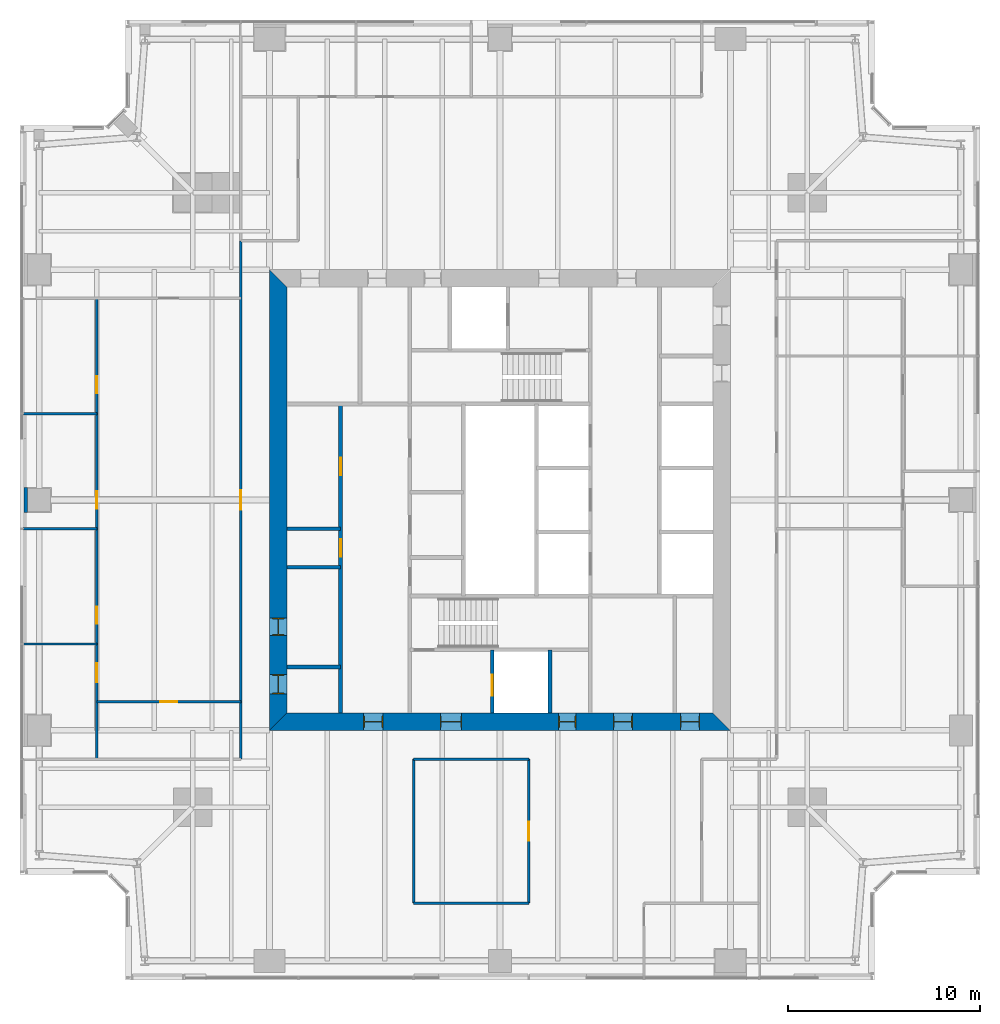
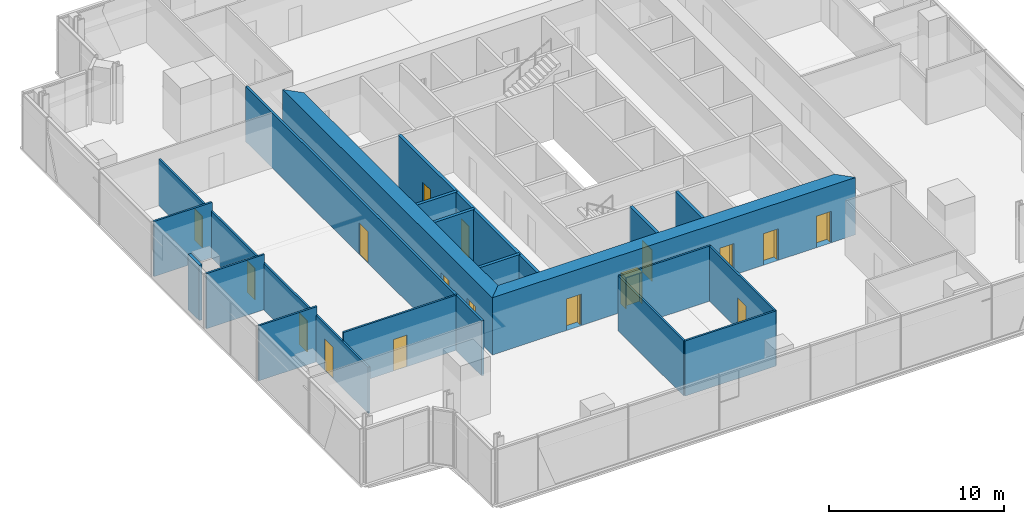
# One storey, part 9 of 16: 19 walls, 17 doors, 17 openings.
"""IFC4 building model written with IfcOpenShell, lengths in metres."""

from ifc_helpers import new_model, si_unit, direction, frame, frame_2d, origin, place, context, subcontext, project, spatial, polyline, rectangle, outline, extrude, material, layer, layer_set, type_object, element, fill, save


model = new_model("IFC4")

# Units and contexts
model_context = context("Model", 3, precision=1e-05, world=origin(), true_north=direction((0.0, 1.0)))
body_context = subcontext(model_context, "Body", "Model", "MODEL_VIEW")
ifc_project = project(units=[si_unit("LENGTHUNIT", "METRE"), si_unit("AREAUNIT", "SQUARE_METRE"), si_unit("VOLUMEUNIT", "CUBIC_METRE"), si_unit("PLANEANGLEUNIT", "RADIAN"), si_unit("MASSUNIT", "GRAM", prefix="KILO")], contexts=[model_context])

# Site, building, storey
site_placement = place(None, origin())
site = spatial("IfcSite", under=ifc_project, at=site_placement, CompositionType="ELEMENT")
building_placement = place(site_placement, origin())
building = spatial("IfcBuilding", under=site, at=building_placement, Name="Fenwick Lantern Interchange", CompositionType="ELEMENT")
storey_placement = place(building_placement, frame((0.0, 0.0, 181.800048828125)))
storey = spatial("IfcBuildingStorey", under=building, at=storey_placement, Name="L42", CompositionType="ELEMENT", Elevation=181.800048828125)

# Wall
ifc_material_1 = material(Name="Fire-rated gypsum board encasement on steel studs, 2 hour", Category="steel")
ifc_layer_1 = layer(ifc_material_1, 1.300048828125)
ifc_layer_set_1 = layer_set([ifc_layer_1], Name="COLUMN PIER 1300")
wall_type_1 = type_object("IfcWallType", Name="COLUMN PIER 1300", PredefinedType="PARTITIONING", material=ifc_layer_set_1)
wall_1_placement = place(storey_placement, frame((0.199951171875, 25.0, 0.0), z_axis=(0.0, 0.0, 1.0), x_axis=(1.0, 0.0, 0.0)))
element("IfcWall", 1, at=wall_1_placement, inside=storey, type_object=wall_type_1, Name="L42/W/PIER/CW3", PredefinedType="PARTITIONING", context=body_context, shape_type="SweptSolid", body=[
    extrude(rectangle(XDim=0.199951171875, YDim=1.300048828125, at=frame_2d((0.10009765625, 0.0))), origin(), (0.0, 0.0, 1.0), 3.849853515625),
])

# Wall, openings, doors
ifc_material_2 = material(Name="Concrete masonry ASTM C90 Grade N", Category="masonry")
ifc_layer_2 = layer(ifc_material_2, 0.199951171875)
ifc_layer_set_2 = layer_set([ifc_layer_2], Name="Concrete masonry ASTM C90 Grade N")
wall_type_2 = type_object("IfcWallType", Name="CORE PARTITION 200", PredefinedType="PARTITIONING", material=ifc_layer_set_2)
wall_2_placement = place(storey_placement, frame((16.699951171875, 13.89990234375, 0.0), z_axis=(0.0, 0.0, 1.0), x_axis=(0.0, 1.0, 0.0)))
wall_2 = element("IfcWall", 2, at=wall_2_placement, inside=storey, type_object=wall_type_2, Name="L42/W/CORES/a", PredefinedType="PARTITIONING", context=body_context, shape_type="SweptSolid", body=[
    extrude(rectangle(XDim=16.10009765625, YDim=0.199951171875, at=frame_2d((8.050048828125, 0.0))), origin(), (0.0, 0.0, 1.0), 3.800048828125),
])
opening_1_placement = place(wall_2_placement, frame((8.14990234375, 0.0, 0.0)))
opening_1 = element("IfcOpeningElement", 3, at=opening_1_placement, cuts=wall_2, Name="Opening L42-D009", PredefinedType="OPENING", context=body_context, shape_type="SweptSolid", body=[
    extrude(rectangle(XDim=0.89990234375, YDim=2.199951171875, at=frame_2d((0.449951171875, 1.10009765625))), frame((0.0, 0.10986328125, 0.0), z_axis=(0.0, -1.0, 0.0), x_axis=(1.0, 0.0, 0.0)), (0.0, 0.0, 1.0), 0.219970703125),
])
opening_2_placement = place(wall_2_placement, frame((12.39990234375, 0.0, 0.0)))
opening_2 = element("IfcOpeningElement", 4, at=opening_2_placement, cuts=wall_2, Name="Opening L42-D010", PredefinedType="OPENING", context=body_context, shape_type="SweptSolid", body=[
    extrude(rectangle(XDim=0.89990234375, YDim=2.199951171875, at=frame_2d((0.449951171875, 1.10009765625))), frame((0.0, 0.10986328125, 0.0), z_axis=(0.0, -1.0, 0.0), x_axis=(1.0, 0.0, 0.0)), (0.0, 0.0, 1.0), 0.219970703125),
])
ifc_material_3 = material(Name="Steel door and frame", Category="steel")
door_type_1 = type_object("IfcDoorType", Name="SERVICE DOOR 900 X 2200", OperationType="SINGLE_SWING_LEFT", PredefinedType="DOOR", material=ifc_material_3)
door_1_placement = place(opening_1_placement, origin())
door_1 = element("IfcDoor", 5, at=door_1_placement, inside=storey, type_object=door_type_1, Name="Service door", OperationType="SINGLE_SWING_LEFT", OverallHeight=2.199951171875, OverallWidth=0.89990234375, PredefinedType="DOOR", context=body_context, shape_type="SweptSolid", body=[
    extrude(rectangle(XDim=0.89990234375, YDim=2.199951171875, at=frame_2d((0.449951171875, 1.10009765625))), frame((0.0, 0.02490234375, 0.0), z_axis=(0.0, -1.0, 0.0), x_axis=(1.0, 0.0, 0.0)), (0.0, 0.0, 1.0), 0.050048828125),
])
fill(opening_1, door_1)
door_2_placement = place(opening_2_placement, origin())
door_2 = element("IfcDoor", 6, at=door_2_placement, inside=storey, type_object=door_type_1, Name="Service door", OperationType="SINGLE_SWING_LEFT", OverallHeight=2.199951171875, OverallWidth=0.89990234375, PredefinedType="DOOR", context=body_context, shape_type="SweptSolid", body=[
    extrude(rectangle(XDim=0.89990234375, YDim=2.199951171875, at=frame_2d((0.449951171875, 1.10009765625))), frame((0.0, 0.02490234375, 0.0), z_axis=(0.0, -1.0, 0.0), x_axis=(1.0, 0.0, 0.0)), (0.0, 0.0, 1.0), 0.050048828125),
])
fill(opening_2, door_2)

# Wall, opening, door
wall_3_placement = place(storey_placement, frame((24.60009765625, 13.89990234375, 0.0), z_axis=(0.0, 0.0, 1.0), x_axis=(0.0, 1.0, 0.0)))
wall_3 = element("IfcWall", 7, at=wall_3_placement, inside=storey, type_object=wall_type_2, Name="L42/W/CORES/h1", PredefinedType="PARTITIONING", context=body_context, shape_type="SweptSolid", body=[
    extrude(rectangle(XDim=3.300048828125, YDim=0.199951171875, at=frame_2d((1.64990234375, 0.0))), origin(), (0.0, 0.0, 1.0), 3.800048828125),
])
opening_3_placement = place(wall_3_placement, frame((0.89990234375, 0.0, 0.0)))
opening_3 = element("IfcOpeningElement", 8, at=opening_3_placement, cuts=wall_3, Name="Opening LD-FL1", PredefinedType="OPENING", context=body_context, shape_type="SweptSolid", body=[
    extrude(rectangle(XDim=1.10009765625, YDim=2.199951171875, at=frame_2d((0.550048828125, 1.10009765625))), frame((0.0, 0.10986328125, 0.0), z_axis=(0.0, -1.0, 0.0), x_axis=(1.0, 0.0, 0.0)), (0.0, 0.0, 1.0), 0.219970703125),
])
door_type_2 = type_object("IfcDoorType", Name="LIFT LANDING DOOR 1100 X 2200", OperationType="DOUBLE_DOOR_SLIDING", PredefinedType="DOOR", material=ifc_material_3)
door_3_placement = place(opening_3_placement, origin())
door_3 = element("IfcDoor", 9, at=door_3_placement, inside=storey, type_object=door_type_2, Name="Lift landing door FL1", OperationType="DOUBLE_DOOR_SLIDING", OverallHeight=2.199951171875, OverallWidth=1.10009765625, PredefinedType="DOOR", context=body_context, shape_type="SweptSolid", body=[
    extrude(rectangle(XDim=1.10009765625, YDim=2.199951171875, at=frame_2d((0.550048828125, 1.10009765625))), frame((0.0, 0.02490234375, 0.0), z_axis=(0.0, -1.0, 0.0), x_axis=(1.0, 0.0, 0.0)), (0.0, 0.0, 1.0), 0.050048828125),
])
fill(opening_3, door_3)

# Walls
wall_4_placement = place(storey_placement, frame((27.60009765625, 13.89990234375, 0.0), z_axis=(0.0, 0.0, 1.0), x_axis=(0.0, 1.0, 0.0)))
element("IfcWall", 10, at=wall_4_placement, inside=storey, type_object=wall_type_2, Name="L42/W/CORES/h2", PredefinedType="PARTITIONING", context=body_context, shape_type="SweptSolid", body=[
    extrude(rectangle(XDim=3.300048828125, YDim=0.199951171875, at=frame_2d((1.64990234375, 0.0))), origin(), (0.0, 0.0, 1.0), 3.800048828125),
])
for number, where, z_axis, x_axis, name in (
    (11, (13.89990234375, 16.300048828125, 0.0), (0.0, 0.0, 1.0), (1.0, 0.0, 0.0), "L42/W/CORES/p1"),
    (12, (13.89990234375, 21.5, 0.0), (0.0, 0.0, 1.0), (1.0, 0.0, 0.0), "L42/W/CORES/p2"),
    (13, (13.89990234375, 23.5, 0.0), (0.0, 0.0, 1.0), (1.0, 0.0, 0.0), "L42/W/CORES/p3"),
):
    element("IfcWall", number, at=place(storey_placement, frame(where, z_axis=z_axis, x_axis=x_axis)), inside=storey, type_object=wall_type_2, Name=name, PredefinedType="PARTITIONING", context=body_context, shape_type="SweptSolid", body=[
        extrude(rectangle(XDim=2.800048828125, YDim=0.199951171875, at=frame_2d((1.39990234375, 0.0))), origin(), (0.0, 0.0, 1.0), 3.800048828125),
    ])

# Wall, openings, doors
ifc_material_4 = material(Name="Concrete f'c 70 MPa", Category="concrete")
ifc_layer_3 = layer(ifc_material_4, 0.89990234375)
ifc_layer_set_3 = layer_set([ifc_layer_3], Name="CORE WALL 900")
wall_type_3 = type_object("IfcWallType", Name="CORE WALL 900", PredefinedType="SHEAR", material=ifc_layer_set_3)
wall_5_placement = place(storey_placement, frame((13.0, 13.449951171875, 0.0), z_axis=(0.0, 0.0, 1.0), x_axis=(1.0, 0.0, 0.0)))
wall_5 = element("IfcWall", 14, at=wall_5_placement, inside=storey, type_object=wall_type_3, Name="L42/CORE/S", PredefinedType="SHEAR", context=body_context, shape_type="SweptSolid", body=[
    extrude(outline(polyline([(0.0, -0.449951171875), (24.0, -0.449951171875), (23.10009765625, 0.449951171875), (0.89990234375, 0.449951171875), (0.0, -0.449951171875)])), origin(), (0.0, 0.0, 1.0), 4.0),
])
opening_4_placement = place(wall_5_placement, frame((4.89990234375, 0.0, 0.0)))
opening_4 = element("IfcOpeningElement", 15, at=opening_4_placement, cuts=wall_5, Name="Opening L42-D001", PredefinedType="OPENING", context=body_context, shape_type="SweptSolid", body=[
    extrude(rectangle(XDim=1.0, YDim=2.199951171875, at=frame_2d((0.5, 1.10009765625))), frame((0.0, 0.4599609375, 0.0), z_axis=(0.0, -1.0, 0.0), x_axis=(1.0, 0.0, 0.0)), (0.0, 0.0, 1.0), 0.919921875),
])
opening_5_placement = place(wall_5_placement, frame((8.89990234375, 0.0, 0.0)))
opening_5 = element("IfcOpeningElement", 16, at=opening_5_placement, cuts=wall_5, Name="Opening L42-D002", PredefinedType="OPENING", context=body_context, shape_type="SweptSolid", body=[
    extrude(rectangle(XDim=1.10009765625, YDim=2.199951171875, at=frame_2d((0.550048828125, 1.10009765625))), frame((0.0, 0.4599609375, 0.0), z_axis=(0.0, -1.0, 0.0), x_axis=(1.0, 0.0, 0.0)), (0.0, 0.0, 1.0), 0.919921875),
])
opening_6_placement = place(wall_5_placement, frame((15.050048828125, 0.0, 0.0)))
opening_6 = element("IfcOpeningElement", 17, at=opening_6_placement, cuts=wall_5, Name="Opening L42-D004", PredefinedType="OPENING", context=body_context, shape_type="SweptSolid", body=[
    extrude(rectangle(XDim=0.89990234375, YDim=2.199951171875, at=frame_2d((0.449951171875, 1.10009765625))), frame((0.0, 0.4599609375, 0.0), z_axis=(0.0, -1.0, 0.0), x_axis=(1.0, 0.0, 0.0)), (0.0, 0.0, 1.0), 0.919921875),
])
opening_7_placement = place(wall_5_placement, frame((17.89990234375, 0.0, 0.0)))
opening_7 = element("IfcOpeningElement", 18, at=opening_7_placement, cuts=wall_5, Name="Opening L42-D005", PredefinedType="OPENING", context=body_context, shape_type="SweptSolid", body=[
    extrude(rectangle(XDim=1.0, YDim=2.199951171875, at=frame_2d((0.5, 1.10009765625))), frame((0.0, 0.4599609375, 0.0), z_axis=(0.0, -1.0, 0.0), x_axis=(1.0, 0.0, 0.0)), (0.0, 0.0, 1.0), 0.919921875),
])
opening_8_placement = place(wall_5_placement, frame((21.39990234375, 0.0, 0.0)))
opening_8 = element("IfcOpeningElement", 19, at=opening_8_placement, cuts=wall_5, Name="Opening L42-D006", PredefinedType="OPENING", context=body_context, shape_type="SweptSolid", body=[
    extrude(rectangle(XDim=1.0, YDim=2.199951171875, at=frame_2d((0.5, 1.10009765625))), frame((0.0, 0.4599609375, 0.0), z_axis=(0.0, -1.0, 0.0), x_axis=(1.0, 0.0, 0.0)), (0.0, 0.0, 1.0), 0.919921875),
])
door_type_3 = type_object("IfcDoorType", Name="CORE LOBBY DOOR 1000 X 2200", OperationType="SINGLE_SWING_LEFT", PredefinedType="DOOR", material=ifc_material_3)
door_4_placement = place(opening_4_placement, origin())
door_4 = element("IfcDoor", 20, at=door_4_placement, inside=storey, type_object=door_type_3, Name="Core lobby door", OperationType="SINGLE_SWING_LEFT", OverallHeight=2.199951171875, OverallWidth=1.0, PredefinedType="DOOR", context=body_context, shape_type="SweptSolid", body=[
    extrude(rectangle(XDim=1.0, YDim=2.199951171875, at=frame_2d((0.5, 1.10009765625))), frame((0.0, 0.02490234375, 0.0), z_axis=(0.0, -1.0, 0.0), x_axis=(1.0, 0.0, 0.0)), (0.0, 0.0, 1.0), 0.050048828125),
    extrude(outline(polyline([(0.0, 0.0), (0.0400390625, 0.0), (0.0400390625, 2.159912109375), (0.9599609375, 2.159912109375), (0.9599609375, 0.0), (1.0, 0.0), (1.0, 2.199951171875), (0.0, 2.199951171875), (0.0, 0.0)])), frame((0.0, 0.300048828125, 0.0), z_axis=(0.0, -1.0, 0.0), x_axis=(1.0, 0.0, 0.0)), (0.0, 0.0, 1.0), 0.60009765625),
])
fill(opening_4, door_4)
door_type_4 = type_object("IfcDoorType", Name="FIRE LOBBY DOOR 1100 X 2200", OperationType="SINGLE_SWING_LEFT", PredefinedType="DOOR", material=ifc_material_3)
door_5_placement = place(opening_5_placement, origin())
door_5 = element("IfcDoor", 21, at=door_5_placement, inside=storey, type_object=door_type_4, Name="Fire lobby door", OperationType="SINGLE_SWING_LEFT", OverallHeight=2.199951171875, OverallWidth=1.10009765625, PredefinedType="DOOR", context=body_context, shape_type="SweptSolid", body=[
    extrude(rectangle(XDim=1.10009765625, YDim=2.199951171875, at=frame_2d((0.550048828125, 1.10009765625))), frame((0.0, 0.02490234375, 0.0), z_axis=(0.0, -1.0, 0.0), x_axis=(1.0, 0.0, 0.0)), (0.0, 0.0, 1.0), 0.050048828125),
    extrude(outline(polyline([(0.0, 0.0), (0.0400390625, 0.0), (0.0400390625, 2.159912109375), (1.06005859375, 2.159912109375), (1.06005859375, 0.0), (1.10009765625, 0.0), (1.10009765625, 2.199951171875), (0.0, 2.199951171875), (0.0, 0.0)])), frame((0.0, 0.300048828125, 0.0), z_axis=(0.0, -1.0, 0.0), x_axis=(1.0, 0.0, 0.0)), (0.0, 0.0, 1.0), 0.60009765625),
])
fill(opening_5, door_5)
door_6_placement = place(opening_6_placement, origin())
door_6 = element("IfcDoor", 22, at=door_6_placement, inside=storey, type_object=door_type_1, Name="Service door", OperationType="SINGLE_SWING_LEFT", OverallHeight=2.199951171875, OverallWidth=0.89990234375, PredefinedType="DOOR", context=body_context, shape_type="SweptSolid", body=[
    extrude(rectangle(XDim=0.89990234375, YDim=2.199951171875, at=frame_2d((0.449951171875, 1.10009765625))), frame((0.0, 0.02490234375, 0.0), z_axis=(0.0, -1.0, 0.0), x_axis=(1.0, 0.0, 0.0)), (0.0, 0.0, 1.0), 0.050048828125),
    extrude(outline(polyline([(0.0, 0.0), (0.0400390625, 0.0), (0.0400390625, 2.159912109375), (0.85986328125, 2.159912109375), (0.85986328125, 0.0), (0.89990234375, 0.0), (0.89990234375, 2.199951171875), (0.0, 2.199951171875), (0.0, 0.0)])), frame((0.0, 0.300048828125, 0.0), z_axis=(0.0, -1.0, 0.0), x_axis=(1.0, 0.0, 0.0)), (0.0, 0.0, 1.0), 0.60009765625),
])
fill(opening_6, door_6)
ifc_material_5 = material(Name="Hardwood door and steel frame", Category="steel")
door_type_5 = type_object("IfcDoorType", Name="WC DOOR 1000 X 2200", OperationType="SINGLE_SWING_LEFT", PredefinedType="DOOR", material=ifc_material_5)
door_7_placement = place(opening_7_placement, origin())
door_7 = element("IfcDoor", 23, at=door_7_placement, inside=storey, type_object=door_type_5, Name="Wc door", OperationType="SINGLE_SWING_LEFT", OverallHeight=2.199951171875, OverallWidth=1.0, PredefinedType="DOOR", context=body_context, shape_type="SweptSolid", body=[
    extrude(rectangle(XDim=1.0, YDim=2.199951171875, at=frame_2d((0.5, 1.10009765625))), frame((0.0, 0.02490234375, 0.0), z_axis=(0.0, -1.0, 0.0), x_axis=(1.0, 0.0, 0.0)), (0.0, 0.0, 1.0), 0.050048828125),
    extrude(outline(polyline([(0.0, 0.0), (0.0400390625, 0.0), (0.0400390625, 2.159912109375), (0.9599609375, 2.159912109375), (0.9599609375, 0.0), (1.0, 0.0), (1.0, 2.199951171875), (0.0, 2.199951171875), (0.0, 0.0)])), frame((0.0, 0.300048828125, 0.0), z_axis=(0.0, -1.0, 0.0), x_axis=(1.0, 0.0, 0.0)), (0.0, 0.0, 1.0), 0.60009765625),
])
fill(opening_7, door_7)
door_8_placement = place(opening_8_placement, origin())
door_8 = element("IfcDoor", 24, at=door_8_placement, inside=storey, type_object=door_type_5, Name="Wc door", OperationType="SINGLE_SWING_LEFT", OverallHeight=2.199951171875, OverallWidth=1.0, PredefinedType="DOOR", context=body_context, shape_type="SweptSolid", body=[
    extrude(rectangle(XDim=1.0, YDim=2.199951171875, at=frame_2d((0.5, 1.10009765625))), frame((0.0, 0.02490234375, 0.0), z_axis=(0.0, -1.0, 0.0), x_axis=(1.0, 0.0, 0.0)), (0.0, 0.0, 1.0), 0.050048828125),
    extrude(outline(polyline([(0.0, 0.0), (0.0400390625, 0.0), (0.0400390625, 2.159912109375), (0.9599609375, 2.159912109375), (0.9599609375, 0.0), (1.0, 0.0), (1.0, 2.199951171875), (0.0, 2.199951171875), (0.0, 0.0)])), frame((0.0, 0.300048828125, 0.0), z_axis=(0.0, -1.0, 0.0), x_axis=(1.0, 0.0, 0.0)), (0.0, 0.0, 1.0), 0.60009765625),
])
fill(opening_8, door_8)

wall_6_placement = place(storey_placement, frame((13.449951171875, 36.10009765625, 0.0), z_axis=(0.0, 0.0, 1.0), x_axis=(0.0, -1.0, 0.0)))
wall_6 = element("IfcWall", 25, at=wall_6_placement, inside=storey, type_object=wall_type_3, Name="L42/CORE/W", PredefinedType="SHEAR", context=body_context, shape_type="SweptSolid", body=[
    extrude(outline(polyline([(-0.89990234375, -0.449951171875), (23.10009765625, -0.449951171875), (22.199951171875, 0.449951171875), (0.0, 0.449951171875), (-0.89990234375, -0.449951171875)])), origin(), (0.0, 0.0, 1.0), 4.0),
])
opening_9_placement = place(wall_6_placement, frame((20.199951171875, 0.0, 0.0)))
opening_9 = element("IfcOpeningElement", 26, at=opening_9_placement, cuts=wall_6, Name="Opening L42-D007", PredefinedType="OPENING", context=body_context, shape_type="SweptSolid", body=[
    extrude(rectangle(XDim=1.0, YDim=2.199951171875, at=frame_2d((0.5, 1.10009765625))), frame((0.0, 0.4599609375, 0.0), z_axis=(0.0, -1.0, 0.0), x_axis=(1.0, 0.0, 0.0)), (0.0, 0.0, 1.0), 0.919921875),
])
opening_10_placement = place(wall_6_placement, frame((17.25, 0.0, 0.0)))
opening_10 = element("IfcOpeningElement", 27, at=opening_10_placement, cuts=wall_6, Name="Opening L42-D008", PredefinedType="OPENING", context=body_context, shape_type="SweptSolid", body=[
    extrude(rectangle(XDim=0.89990234375, YDim=2.199951171875, at=frame_2d((0.449951171875, 1.10009765625))), frame((0.0, 0.4599609375, 0.0), z_axis=(0.0, -1.0, 0.0), x_axis=(1.0, 0.0, 0.0)), (0.0, 0.0, 1.0), 0.919921875),
])
door_9_placement = place(opening_10_placement, origin())
door_9 = element("IfcDoor", 28, at=door_9_placement, inside=storey, type_object=door_type_1, Name="Service door", OperationType="SINGLE_SWING_RIGHT", OverallHeight=2.199951171875, OverallWidth=0.89990234375, PredefinedType="DOOR", context=body_context, shape_type="SweptSolid", body=[
    extrude(rectangle(XDim=0.89990234375, YDim=2.199951171875, at=frame_2d((0.449951171875, 1.10009765625))), frame((0.0, 0.02490234375, 0.0), z_axis=(0.0, -1.0, 0.0), x_axis=(1.0, 0.0, 0.0)), (0.0, 0.0, 1.0), 0.050048828125),
    extrude(outline(polyline([(0.0, 0.0), (0.0400390625, 0.0), (0.0400390625, 2.159912109375), (0.85986328125, 2.159912109375), (0.85986328125, 0.0), (0.89990234375, 0.0), (0.89990234375, 2.199951171875), (0.0, 2.199951171875), (0.0, 0.0)])), frame((0.0, 0.300048828125, 0.0), z_axis=(0.0, -1.0, 0.0), x_axis=(1.0, 0.0, 0.0)), (0.0, 0.0, 1.0), 0.60009765625),
])
fill(opening_10, door_9)
door_10_placement = place(opening_9_placement, origin())
door_10 = element("IfcDoor", 29, at=door_10_placement, inside=storey, type_object=door_type_5, Name="Wc door", OperationType="SINGLE_SWING_LEFT", OverallHeight=2.199951171875, OverallWidth=1.0, PredefinedType="DOOR", context=body_context, shape_type="SweptSolid", body=[
    extrude(rectangle(XDim=1.0, YDim=2.199951171875, at=frame_2d((0.5, 1.10009765625))), frame((0.0, 0.02490234375, 0.0), z_axis=(0.0, -1.0, 0.0), x_axis=(1.0, 0.0, 0.0)), (0.0, 0.0, 1.0), 0.050048828125),
    extrude(outline(polyline([(0.0, 0.0), (0.0400390625, 0.0), (0.0400390625, 2.159912109375), (0.9599609375, 2.159912109375), (0.9599609375, 0.0), (1.0, 0.0), (1.0, 2.199951171875), (0.0, 2.199951171875), (0.0, 0.0)])), frame((0.0, 0.300048828125, 0.0), z_axis=(0.0, -1.0, 0.0), x_axis=(1.0, 0.0, 0.0)), (0.0, 0.0, 1.0), 0.60009765625),
])
fill(opening_9, door_10)

# Wall, opening, door
ifc_material_6 = material(Name="Gypsum board on steel studs, 1 hour", Category="steel")
ifc_layer_4 = layer(ifc_material_6, 0.14990234375)
ifc_layer_set_4 = layer_set([ifc_layer_4], Name="CORRIDOR WALL 150")
wall_type_4 = type_object("IfcWallType", Name="CORRIDOR WALL 150", PredefinedType="PARTITIONING", material=ifc_layer_set_4)
wall_7_placement = place(storey_placement, frame((11.5, 38.5, 0.0), z_axis=(0.0, 0.0, 1.0), x_axis=(0.0, -1.0, 0.0)))
wall_7 = element("IfcWall", 30, at=wall_7_placement, inside=storey, type_object=wall_type_4, Name="L42/W/OFF/W/CW", PredefinedType="PARTITIONING", context=body_context, shape_type="SweptSolid", body=[
    extrude(rectangle(XDim=27.0, YDim=0.14990234375, at=frame_2d((13.5, 0.0))), origin(), (0.0, 0.0, 1.0), 3.849853515625),
])
opening_11_placement = place(wall_7_placement, frame((13.0, 0.0, 0.0)))
opening_11 = element("IfcOpeningElement", 31, at=opening_11_placement, cuts=wall_7, Name="Opening L42-D036", PredefinedType="OPENING", context=body_context, shape_type="SweptSolid", body=[
    extrude(rectangle(XDim=1.0, YDim=2.199951171875, at=frame_2d((0.5, 1.10009765625))), frame((0.0, 0.0849609375, 0.0), z_axis=(0.0, -1.0, 0.0), x_axis=(1.0, 0.0, 0.0)), (0.0, 0.0, 1.0), 0.169921875),
])
door_type_6 = type_object("IfcDoorType", Name="SUITE ENTRANCE DOOR 1000 X 2200", OperationType="SINGLE_SWING_LEFT", PredefinedType="DOOR", material=ifc_material_3)
door_11_placement = place(opening_11_placement, frame((1.0, 0.0, 0.0), z_axis=(0.0, 0.0, 1.0), x_axis=(-1.0, 0.0, 0.0)))
door_11 = element("IfcDoor", 32, at=door_11_placement, inside=storey, type_object=door_type_6, Name="Suite entrance door", OperationType="SINGLE_SWING_RIGHT", OverallHeight=2.199951171875, OverallWidth=1.0, PredefinedType="DOOR", context=body_context, shape_type="SweptSolid", body=[
    extrude(rectangle(XDim=1.0, YDim=2.199951171875, at=frame_2d((0.5, 1.10009765625))), frame((0.0, 0.02490234375, 0.0), z_axis=(0.0, -1.0, 0.0), x_axis=(1.0, 0.0, 0.0)), (0.0, 0.0, 1.0), 0.050048828125),
])
fill(opening_11, door_11)

# Wall
ifc_material_7 = material(Name="Gypsum board on steel studs, acoustic", Category="steel")
ifc_layer_5 = layer(ifc_material_7, 0.125)
ifc_layer_set_5 = layer_set([ifc_layer_5], Name="OFFICE PARTITION 125")
wall_type_5 = type_object("IfcWallType", Name="OFFICE PARTITION 125", PredefinedType="PARTITIONING", material=ifc_layer_set_5)
wall_8_placement = place(storey_placement, frame((20.5, 4.0, 0.0), z_axis=(0.0, 0.0, 1.0), x_axis=(0.0, 1.0, 0.0)))
element("IfcWall", 33, at=wall_8_placement, inside=storey, type_object=wall_type_5, Name="L42/W/OFF/S/X205-1", PredefinedType="PARTITIONING", context=body_context, shape_type="SweptSolid", body=[
    extrude(rectangle(XDim=7.5, YDim=0.125, at=frame_2d((3.75, 0.0))), origin(), (0.0, 0.0, 1.0), 3.849853515625),
])

# Wall, opening, door
wall_9_placement = place(storey_placement, frame((26.5, 4.0, 0.0), z_axis=(0.0, 0.0, 1.0), x_axis=(0.0, 1.0, 0.0)))
wall_9 = element("IfcWall", 34, at=wall_9_placement, inside=storey, type_object=wall_type_5, Name="L42/W/OFF/S/X265-1", PredefinedType="PARTITIONING", context=body_context, shape_type="SweptSolid", body=[
    extrude(rectangle(XDim=7.5, YDim=0.125, at=frame_2d((3.75, 0.0))), origin(), (0.0, 0.0, 1.0), 3.849853515625),
])
opening_12_placement = place(wall_9_placement, frame((3.25, 0.0, 0.0)))
opening_12 = element("IfcOpeningElement", 35, at=opening_12_placement, cuts=wall_9, Name="Opening L42-D022", PredefinedType="OPENING", context=body_context, shape_type="SweptSolid", body=[
    extrude(rectangle(XDim=1.0, YDim=2.199951171875, at=frame_2d((0.5, 1.10009765625))), frame((0.0, 0.072509765625, 0.0), z_axis=(0.0, -1.0, 0.0), x_axis=(1.0, 0.0, 0.0)), (0.0, 0.0, 1.0), 0.14501953125),
])
door_type_7 = type_object("IfcDoorType", Name="MEETING ROOM DOOR 1000 X 2200", OperationType="SINGLE_SWING_LEFT", PredefinedType="DOOR", material=ifc_material_5)
door_12_placement = place(opening_12_placement, origin())
door_12 = element("IfcDoor", 36, at=door_12_placement, inside=storey, type_object=door_type_7, Name="Meeting room door", OperationType="SINGLE_SWING_LEFT", OverallHeight=2.199951171875, OverallWidth=1.0, PredefinedType="DOOR", context=body_context, shape_type="SweptSolid", body=[
    extrude(rectangle(XDim=1.0, YDim=2.199951171875, at=frame_2d((0.5, 1.10009765625))), frame((0.0, 0.02490234375, 0.0), z_axis=(0.0, -1.0, 0.0), x_axis=(1.0, 0.0, 0.0)), (0.0, 0.0, 1.0), 0.050048828125),
])
fill(opening_12, door_12)

# Walls
for number, where, z_axis, x_axis, name in (
    (37, (20.5, 4.0, 0.0), (0.0, 0.0, 1.0), (1.0, 0.0, 0.0), "L42/W/OFF/S/Y40-1"),
    (38, (20.5, 11.5, 0.0), (0.0, 0.0, 1.0), (1.0, 0.0, 0.0), "L42/W/OFF/S/CWS1"),
):
    element("IfcWall", number, at=place(storey_placement, frame(where, z_axis=z_axis, x_axis=x_axis)), inside=storey, type_object=wall_type_5, Name=name, PredefinedType="PARTITIONING", context=body_context, shape_type="SweptSolid", body=[
        extrude(rectangle(XDim=6.0, YDim=0.125, at=frame_2d((3.0, 0.0))), origin(), (0.0, 0.0, 1.0), 3.849853515625),
    ])
for number, where, z_axis, x_axis, name in (
    (39, (0.14990234375, 29.5, 0.0), (0.0, 0.0, 1.0), (1.0, 0.0, 0.0), "L42/W/OFF/W/X205-1"),
    (40, (0.14990234375, 23.5, 0.0), (0.0, 0.0, 1.0), (1.0, 0.0, 0.0), "L42/W/OFF/W/X265-1"),
    (41, (0.14990234375, 17.5, 0.0), (0.0, 0.0, 1.0), (1.0, 0.0, 0.0), "L42/W/OFF/W/X325-1"),
):
    element("IfcWall", number, at=place(storey_placement, frame(where, z_axis=z_axis, x_axis=x_axis)), inside=storey, type_object=wall_type_5, Name=name, PredefinedType="PARTITIONING", context=body_context, shape_type="SweptSolid", body=[
        extrude(rectangle(XDim=3.85009765625, YDim=0.125, at=frame_2d((1.925048828125, 0.0))), origin(), (0.0, 0.0, 1.0), 3.849853515625),
    ])

# Wall, opening, door
wall_10_placement = place(storey_placement, frame((4.0, 14.5, 0.0), z_axis=(0.0, 0.0, 1.0), x_axis=(1.0, 0.0, 0.0)))
wall_10 = element("IfcWall", 42, at=wall_10_placement, inside=storey, type_object=wall_type_5, Name="L42/W/OFF/W/X355-1", PredefinedType="PARTITIONING", context=body_context, shape_type="SweptSolid", body=[
    extrude(rectangle(XDim=7.5, YDim=0.125, at=frame_2d((3.75, 0.0))), origin(), (0.0, 0.0, 1.0), 3.849853515625),
])
opening_13_placement = place(wall_10_placement, frame((3.300048828125, 0.0, 0.0)))
opening_13 = element("IfcOpeningElement", 43, at=opening_13_placement, cuts=wall_10, Name="Opening L42-D042", PredefinedType="OPENING", context=body_context, shape_type="SweptSolid", body=[
    extrude(rectangle(XDim=0.89990234375, YDim=2.199951171875, at=frame_2d((0.449951171875, 1.10009765625))), frame((0.0, 0.072509765625, 0.0), z_axis=(0.0, -1.0, 0.0), x_axis=(1.0, 0.0, 0.0)), (0.0, 0.0, 1.0), 0.14501953125),
])
door_type_8 = type_object("IfcDoorType", Name="OFFICE DOOR 900 X 2200", OperationType="SINGLE_SWING_LEFT", PredefinedType="DOOR", material=ifc_material_5)
door_13_placement = place(opening_13_placement, frame((0.89990234375, 0.0, 0.0), z_axis=(0.0, 0.0, 1.0), x_axis=(-1.0, 0.0, 0.0)))
door_13 = element("IfcDoor", 44, at=door_13_placement, inside=storey, type_object=door_type_8, Name="Office door", OperationType="SINGLE_SWING_RIGHT", OverallHeight=2.199951171875, OverallWidth=0.89990234375, PredefinedType="DOOR", context=body_context, shape_type="SweptSolid", body=[
    extrude(rectangle(XDim=0.89990234375, YDim=2.199951171875, at=frame_2d((0.449951171875, 1.10009765625))), frame((0.0, 0.02490234375, 0.0), z_axis=(0.0, -1.0, 0.0), x_axis=(1.0, 0.0, 0.0)), (0.0, 0.0, 1.0), 0.050048828125),
])
fill(opening_13, door_13)

# Wall, openings, doors
wall_11_placement = place(storey_placement, frame((4.0, 35.5, 0.0), z_axis=(0.0, 0.0, 1.0), x_axis=(0.0, -1.0, 0.0)))
wall_11 = element("IfcWall", 45, at=wall_11_placement, inside=storey, type_object=wall_type_5, Name="L42/W/OFF/W/Y40-1", PredefinedType="PARTITIONING", context=body_context, shape_type="SweptSolid", body=[
    extrude(rectangle(XDim=24.0, YDim=0.125, at=frame_2d((12.0, 0.0))), origin(), (0.0, 0.0, 1.0), 3.23779296875),
])
opening_14_placement = place(wall_11_placement, frame((4.050048828125, 0.0, 0.0)))
opening_14 = element("IfcOpeningElement", 46, at=opening_14_placement, cuts=wall_11, Name="Opening L42-D038", PredefinedType="OPENING", context=body_context, shape_type="SweptSolid", body=[
    extrude(rectangle(XDim=0.89990234375, YDim=2.199951171875, at=frame_2d((0.449951171875, 1.10009765625))), frame((0.0, 0.072509765625, 0.0), z_axis=(0.0, -1.0, 0.0), x_axis=(1.0, 0.0, 0.0)), (0.0, 0.0, 1.0), 0.14501953125),
])
opening_15_placement = place(wall_11_placement, frame((10.050048828125, 0.0, 0.0)))
opening_15 = element("IfcOpeningElement", 47, at=opening_15_placement, cuts=wall_11, Name="Opening L42-D039", PredefinedType="OPENING", context=body_context, shape_type="SweptSolid", body=[
    extrude(rectangle(XDim=0.89990234375, YDim=2.199951171875, at=frame_2d((0.449951171875, 1.10009765625))), frame((0.0, 0.072509765625, 0.0), z_axis=(0.0, -1.0, 0.0), x_axis=(1.0, 0.0, 0.0)), (0.0, 0.0, 1.0), 0.14501953125),
])
opening_16_placement = place(wall_11_placement, frame((16.050048828125, 0.0, 0.0)))
opening_16 = element("IfcOpeningElement", 48, at=opening_16_placement, cuts=wall_11, Name="Opening L42-D040", PredefinedType="OPENING", context=body_context, shape_type="SweptSolid", body=[
    extrude(rectangle(XDim=0.89990234375, YDim=2.199951171875, at=frame_2d((0.449951171875, 1.10009765625))), frame((0.0, 0.072509765625, 0.0), z_axis=(0.0, -1.0, 0.0), x_axis=(1.0, 0.0, 0.0)), (0.0, 0.0, 1.0), 0.14501953125),
])
opening_17_placement = place(wall_11_placement, frame((19.0, 0.0, 0.0)))
opening_17 = element("IfcOpeningElement", 49, at=opening_17_placement, cuts=wall_11, Name="Opening L42-D041", PredefinedType="OPENING", context=body_context, shape_type="SweptSolid", body=[
    extrude(rectangle(XDim=1.0, YDim=2.199951171875, at=frame_2d((0.5, 1.10009765625))), frame((0.0, 0.072509765625, 0.0), z_axis=(0.0, -1.0, 0.0), x_axis=(1.0, 0.0, 0.0)), (0.0, 0.0, 1.0), 0.14501953125),
])
door_14_placement = place(opening_17_placement, frame((1.0, 0.0, 0.0), z_axis=(0.0, 0.0, 1.0), x_axis=(-1.0, 0.0, 0.0)))
door_14 = element("IfcDoor", 50, at=door_14_placement, inside=storey, type_object=door_type_7, Name="Meeting room door", OperationType="SINGLE_SWING_RIGHT", OverallHeight=2.199951171875, OverallWidth=1.0, PredefinedType="DOOR", context=body_context, shape_type="SweptSolid", body=[
    extrude(rectangle(XDim=1.0, YDim=2.199951171875, at=frame_2d((0.5, 1.10009765625))), frame((0.0, 0.02490234375, 0.0), z_axis=(0.0, -1.0, 0.0), x_axis=(1.0, 0.0, 0.0)), (0.0, 0.0, 1.0), 0.050048828125),
])
fill(opening_17, door_14)
door_15_placement = place(opening_14_placement, frame((0.89990234375, 0.0, 0.0), z_axis=(0.0, 0.0, 1.0), x_axis=(-1.0, 0.0, 0.0)))
door_15 = element("IfcDoor", 51, at=door_15_placement, inside=storey, type_object=door_type_8, Name="Office door", OperationType="SINGLE_SWING_LEFT", OverallHeight=2.199951171875, OverallWidth=0.89990234375, PredefinedType="DOOR", context=body_context, shape_type="SweptSolid", body=[
    extrude(rectangle(XDim=0.89990234375, YDim=2.199951171875, at=frame_2d((0.449951171875, 1.10009765625))), frame((0.0, 0.02490234375, 0.0), z_axis=(0.0, -1.0, 0.0), x_axis=(1.0, 0.0, 0.0)), (0.0, 0.0, 1.0), 0.050048828125),
])
fill(opening_14, door_15)
door_16_placement = place(opening_15_placement, frame((0.89990234375, 0.0, 0.0), z_axis=(0.0, 0.0, 1.0), x_axis=(-1.0, 0.0, 0.0)))
door_16 = element("IfcDoor", 52, at=door_16_placement, inside=storey, type_object=door_type_8, Name="Office door", OperationType="SINGLE_SWING_LEFT", OverallHeight=2.199951171875, OverallWidth=0.89990234375, PredefinedType="DOOR", context=body_context, shape_type="SweptSolid", body=[
    extrude(rectangle(XDim=0.89990234375, YDim=2.199951171875, at=frame_2d((0.449951171875, 1.10009765625))), frame((0.0, 0.02490234375, 0.0), z_axis=(0.0, -1.0, 0.0), x_axis=(1.0, 0.0, 0.0)), (0.0, 0.0, 1.0), 0.050048828125),
])
fill(opening_15, door_16)
door_17_placement = place(opening_16_placement, frame((0.89990234375, 0.0, 0.0), z_axis=(0.0, 0.0, 1.0), x_axis=(-1.0, 0.0, 0.0)))
door_17 = element("IfcDoor", 53, at=door_17_placement, inside=storey, type_object=door_type_8, Name="Office door", OperationType="SINGLE_SWING_LEFT", OverallHeight=2.199951171875, OverallWidth=0.89990234375, PredefinedType="DOOR", context=body_context, shape_type="SweptSolid", body=[
    extrude(rectangle(XDim=0.89990234375, YDim=2.199951171875, at=frame_2d((0.449951171875, 1.10009765625))), frame((0.0, 0.02490234375, 0.0), z_axis=(0.0, -1.0, 0.0), x_axis=(1.0, 0.0, 0.0)), (0.0, 0.0, 1.0), 0.050048828125),
])
fill(opening_16, door_17)

save(model, "model.ifc")
